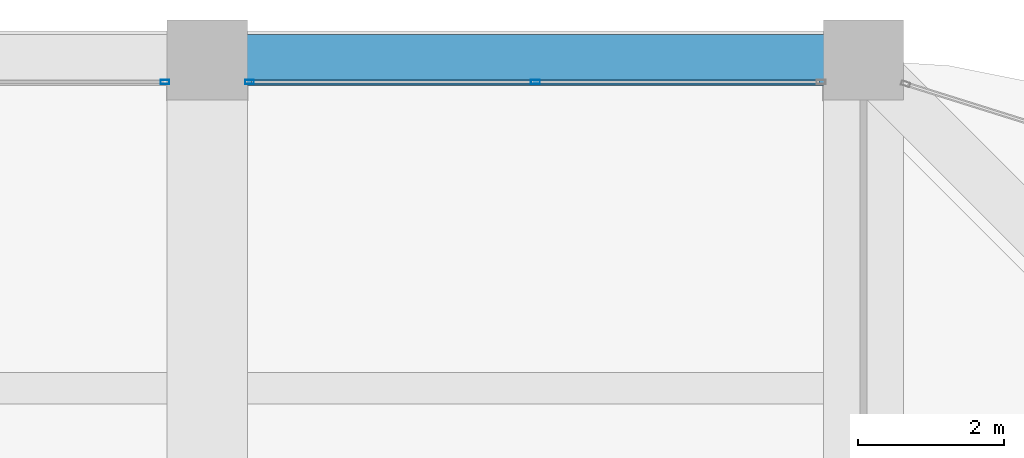
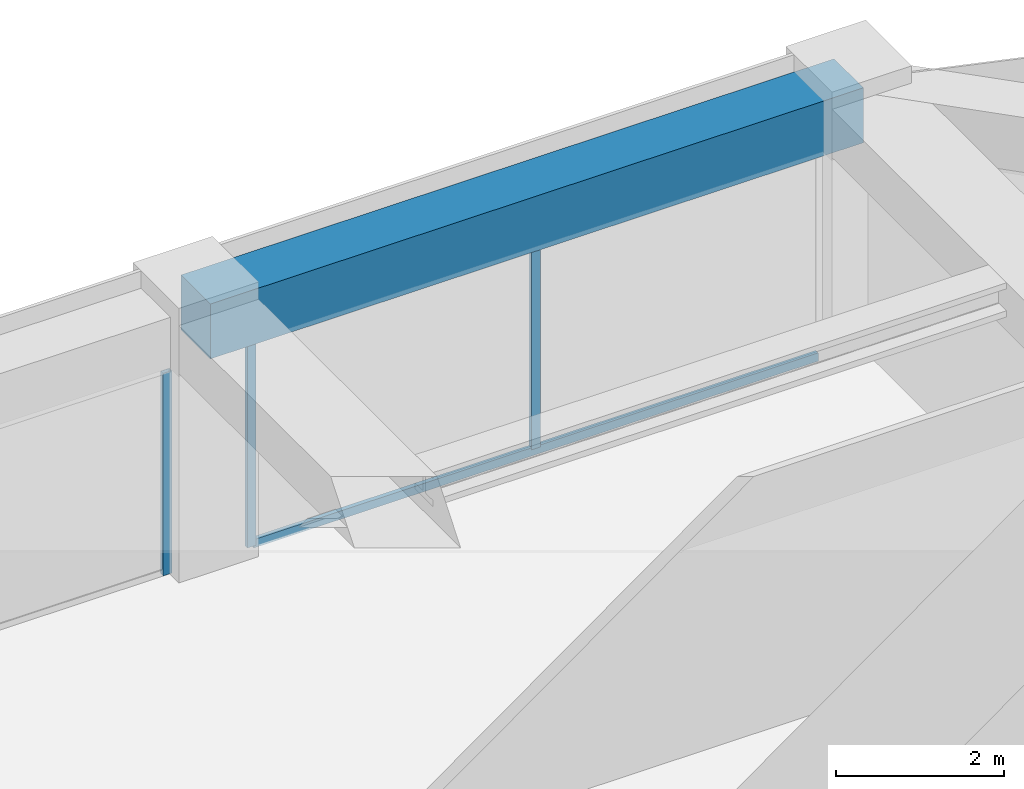
# One storey, part 35 of 44: 4 members, 1 beam, 2 elements without a shape of their own.
"""IFC4 building model written with IfcOpenShell, lengths in metres."""

from ifc_helpers import new_model, si_unit, direction, frame, origin, origin_2d, place, context, subcontext, project, spatial, rectangle, hollow_rectangle, extrude, material, material_profile, profile_set, type_object, element, aggregate, save


model = new_model("IFC4")

# Units and contexts
model_context = context("Model", 3, precision=1e-05, world=origin(), true_north=direction((0.0, 1.0)))
body_context = subcontext(model_context, "Body", "Model", "MODEL_VIEW")
ifc_project = project(units=[si_unit("LENGTHUNIT", "METRE"), si_unit("AREAUNIT", "SQUARE_METRE"), si_unit("VOLUMEUNIT", "CUBIC_METRE"), si_unit("PLANEANGLEUNIT", "RADIAN"), si_unit("MASSUNIT", "GRAM", prefix="KILO")], contexts=[model_context])

# Site, building, storey
site_placement = place(None, origin())
site = spatial("IfcSite", under=ifc_project, at=site_placement, CompositionType="ELEMENT")
building_placement = place(site_placement, origin())
building = spatial("IfcBuilding", under=site, at=building_placement, Name="Zorevar Civic Tower", CompositionType="ELEMENT")
storey_placement = place(building_placement, frame((0.0, 0.0, 271.39990234375)))
storey = spatial("IfcBuildingStorey", under=building, at=storey_placement, Name="L66", CompositionType="ELEMENT", Elevation=271.39990234375)

# Curtain wall, member
ifc_material_1 = material(Name="Dark grey solar-control glass in black aluminium frame", Category="aluminium")
curtain_wall_type = type_object("IfcCurtainWallType", Name="Curtain wall CW5 top zone", PredefinedType="NOTDEFINED", material=ifc_material_1)
curtain_wall_1_placement = place(storey_placement, origin())
curtain_wall_1 = element("IfcCurtainWall", 1, at=curtain_wall_1_placement, inside=storey, type_object=curtain_wall_type, Name="CW5 L66", PredefinedType="NOTDEFINED")
ifc_material_2 = material(Name="Aluminium, black anodised", Category="aluminium")
ifc_material_profile_1 = material_profile(ifc_material_2, hollow_rectangle(XDim=0.06005859375, YDim=0.1201171875, WallThickness=0.0029296875, at=origin_2d()), Name="AL 120x60x3")
ifc_profile_set_1 = profile_set([ifc_material_profile_1], Name="Aluminium, black anodised")
member_type_1 = type_object("IfcMemberType", Name="CW5 mullion AL 120x60x3", PredefinedType="MULLION", material=ifc_profile_set_1)
member_1_placement = place(storey_placement, frame((35.419921875, 44.699951171875, 0.0), z_axis=(0.0, 0.0, 1.0), x_axis=(0.0, 1.0, 0.0)))
member_1 = element("IfcMember", 2, at=member_1_placement, type_object=member_type_1, Name="CW5 mullion 3", PredefinedType="MULLION", context=body_context, shape_type="SweptSolid", body=[
    extrude(hollow_rectangle(XDim=0.06005859375, YDim=0.1201171875, WallThickness=0.0029296875, at=origin_2d()), origin(), (0.0, 0.0, 1.0), 2.9501953125),
])
aggregate(curtain_wall_1, [member_1])

# Curtain wall, members
curtain_wall_2_placement = place(storey_placement, origin())
curtain_wall_2 = element("IfcCurtainWall", 3, at=curtain_wall_2_placement, inside=storey, type_object=curtain_wall_type, Name="CW5 L66", PredefinedType="NOTDEFINED")
member_2_placement = place(storey_placement, frame((36.580078125, 44.699951171875, 0.0), z_axis=(0.0, 0.0, 1.0), x_axis=(0.0, 1.0, 0.0)))
member_2 = element("IfcMember", 4, at=member_2_placement, type_object=member_type_1, Name="CW5 mullion 1", PredefinedType="MULLION", context=body_context, shape_type="SweptSolid", body=[
    extrude(hollow_rectangle(XDim=0.06005859375, YDim=0.1201171875, WallThickness=0.0029296875, at=origin_2d()), origin(), (0.0, 0.0, 1.0), 2.9501953125),
])
member_3_placement = place(storey_placement, frame((40.5, 44.699951171875, 0.06005859375), z_axis=(0.0, 0.0, 1.0), x_axis=(0.0, 1.0, 0.0)))
member_3 = element("IfcMember", 5, at=member_3_placement, type_object=member_type_1, Name="CW5 mullion 2", PredefinedType="MULLION", context=body_context, shape_type="SweptSolid", body=[
    extrude(hollow_rectangle(XDim=0.06005859375, YDim=0.1201171875, WallThickness=0.0029296875, at=origin_2d()), origin(), (0.0, 0.0, 1.0), 2.89013671875),
])
ifc_material_3 = material(Name="Aluminium, black anodised", Category="aluminium")
ifc_material_profile_2 = material_profile(ifc_material_3, hollow_rectangle(XDim=0.06005859375, YDim=0.1201171875, WallThickness=0.0029296875, at=origin_2d()), Name="AL 120x60x3")
ifc_profile_set_2 = profile_set([ifc_material_profile_2], Name="Aluminium, black anodised")
member_type_2 = type_object("IfcMemberType", Name="CW5 transom AL 120x60x3", PredefinedType="USERDEFINED", material=ifc_profile_set_2)
member_4_placement = place(storey_placement, frame((36.610107421875, 44.699951171875, 0.030029296875), z_axis=(1.0, 0.0, 0.0), x_axis=(0.0, 1.0, 0.0)))
member_4 = element("IfcMember", 6, at=member_4_placement, type_object=member_type_2, Name="CW5 sill transom", ObjectType="TRANSOM", PredefinedType="USERDEFINED", context=body_context, shape_type="SweptSolid", body=[
    extrude(hollow_rectangle(XDim=0.06005859375, YDim=0.1201171875, WallThickness=0.0029296875, at=origin_2d()), origin(), (0.0, 0.0, 1.0), 7.77978515625),
])
aggregate(curtain_wall_2, [member_2, member_3, member_4])

# Beam
ifc_material_4 = material(Name="Concrete C50/60", Category="concrete")
ifc_material_profile_3 = material_profile(ifc_material_4, rectangle(XDim=0.699951171875, YDim=0.800048828125, at=origin_2d()), Name="RC 700x800")
ifc_profile_set_3 = profile_set([ifc_material_profile_3], Name="Concrete C50/60")
beam_type = type_object("IfcBeamType", Name="Edge beam RC 700x800", PredefinedType="SPANDREL", material=ifc_profile_set_3)
beam_placement = place(storey_placement, frame((36.0, 45.0, 3.35009765625), z_axis=(1.0, 0.0, 0.0), x_axis=(0.0, 1.0, 0.0)))
element("IfcBeam", 7, at=beam_placement, inside=storey, type_object=beam_type, Name="Edge beam L67", PredefinedType="SPANDREL", context=body_context, shape_type="SweptSolid", body=[
    extrude(rectangle(XDim=0.699951171875, YDim=0.800048828125, at=origin_2d()), origin(), (0.0, 0.0, 1.0), 9.0),
])

save(model, "model.ifc")
